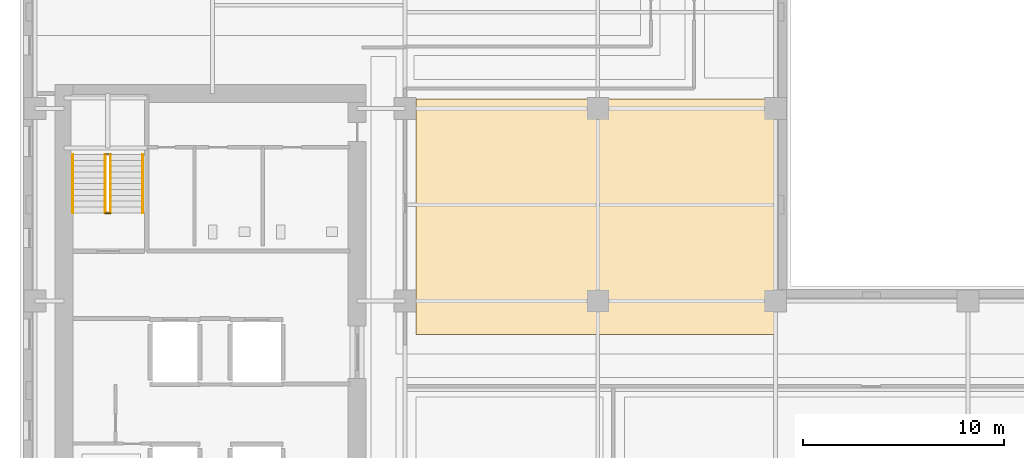
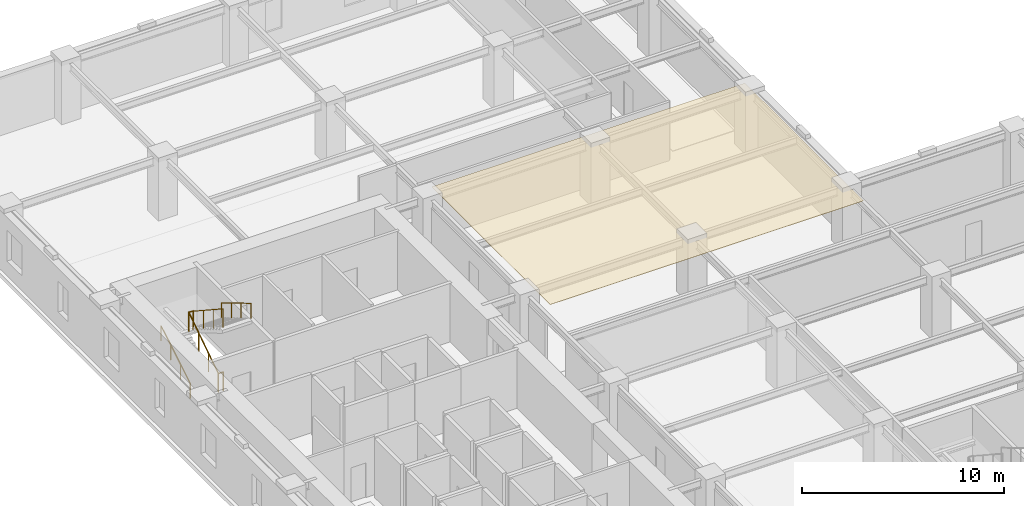
# One storey, part 11 of 13: 6 railings, 1 covering.
"""IFC4 building model written with IfcOpenShell, lengths in metres."""

from ifc_helpers import new_model, si_unit, direction, frame, origin, origin_2d, place, context, subcontext, project, spatial, polyline, circle, outline, extrude, material, layer, layer_set, type_object, element, save


model = new_model("IFC4")

# Units and contexts
model_context = context("Model", 3, precision=1e-05, world=origin(), true_north=direction((0.0, 1.0)))
body_context = subcontext(model_context, "Body", "Model", "MODEL_VIEW")
ifc_project = project(units=[si_unit("LENGTHUNIT", "METRE"), si_unit("AREAUNIT", "SQUARE_METRE"), si_unit("VOLUMEUNIT", "CUBIC_METRE"), si_unit("PLANEANGLEUNIT", "RADIAN"), si_unit("MASSUNIT", "GRAM", prefix="KILO")], contexts=[model_context])

# Site, building, storey
site_placement = place(None, origin())
site = spatial("IfcSite", under=ifc_project, at=site_placement, CompositionType="ELEMENT")
building_placement = place(site_placement, origin())
building = spatial("IfcBuilding", under=site, at=building_placement, Name="Norrvale University Quadrangle", CompositionType="ELEMENT")
storey_placement = place(building_placement, frame((0.0, 0.0, 85.0)))
storey = spatial("IfcBuildingStorey", under=building, at=storey_placement, Name="L21", CompositionType="ELEMENT", Elevation=85.0)

# Covering
ifc_material_1 = material(Name="Perforated Acoustic Mineral Ceiling")
ifc_layer = layer(ifc_material_1, 0.02490234375, Name="Perforated Acoustic Mineral Ceiling")
ifc_layer_set = layer_set([ifc_layer], Name="Perforated Acoustic Mineral Ceiling")
covering_type = type_object("IfcCoveringType", Name="Covering Acoustic Ceiling 25", PredefinedType="CEILING", material=ifc_layer_set)
covering_placement = place(storey_placement, frame((0.0, 0.0, 3.514892578125)))
element("IfcCovering", 1, at=covering_placement, inside=storey, type_object=covering_type, Name="Acoustic Ceiling RM-L21-MNE01", PredefinedType="CEILING", context=body_context, shape_type="SweptSolid", body=[
    extrude(outline(polyline([(19.72998046875, 47.719970703125), (37.64990234375, 47.719970703125), (37.64990234375, 35.97998046875), (19.72998046875, 35.97998046875), (19.72998046875, 47.719970703125)])), origin(), (0.0, 0.0, 1.0), 0.025146484375),
])

# Railings
ifc_material_2 = material(Name="Steel 350W Painted Balustrade", Category="steel")
railing_type_1 = type_object("IfcRailingType", Name="Railing Stair Guard 1100", PredefinedType="GUARDRAIL", material=ifc_material_2)
for number, where, name in (
    (2, (4.239990234375, 42.02001953125, 0.0), "Stair Floor Well Guard ST-02 L21"),
    (3, (4.239990234375, 44.97998046875, 1.89990234375), "Stair Mid-Landing Slot Guard ST-02 L21"),
):
    element("IfcRailing", number, at=place(storey_placement, frame(where)), inside=storey, type_object=railing_type_1, Name=name, PredefinedType="GUARDRAIL", context=body_context, shape_type="SweptSolid", body=[
        extrude(circle(Radius=0.02392578125, at=origin_2d()), frame((0.0, 0.0, 1.1259765625), z_axis=(1.0, 0.0, 0.0), x_axis=(0.0, 1.0, 0.0)), (0.0, 0.0, 1.0), 0.27001953125),
        extrude(circle(Radius=0.02099609375, at=origin_2d()), origin(), (0.0, 0.0, 1.0), 1.101806640625),
        extrude(circle(Radius=0.02099609375, at=origin_2d()), frame((0.27001953125, 0.0, 0.0)), (0.0, 0.0, 1.0), 1.101806640625),
    ])
railing_1_placement = place(storey_placement, frame((4.239990234375, 42.050048828125, 0.0)))
element("IfcRailing", 4, at=railing_1_placement, inside=storey, type_object=railing_type_1, Name="Stair Lower Flight Inner Guard ST-02 L21", PredefinedType="GUARDRAIL", context=body_context, shape_type="SweptSolid", body=[
    extrude(circle(Radius=0.02392578125, at=origin_2d()), frame((0.0, 0.0, 1.1259765625), z_axis=(0.0, 0.836465582154, 0.548019461216), x_axis=(-1.0, 0.0, 0.0)), (0.0, 0.0, 1.0), 3.466796875),
    extrude(circle(Radius=0.02099609375, at=origin_2d()), origin(), (0.0, 0.0, 1.0), 1.101806640625),
    extrude(circle(Radius=0.02099609375, at=origin_2d()), frame((0.0, 0.966552734375, 0.63330078125)), (0.0, 0.0, 1.0), 1.101806640625),
    extrude(circle(Radius=0.02099609375, at=origin_2d()), frame((0.0, 1.933349609375, 1.2666015625)), (0.0, 0.0, 1.0), 1.101806640625),
    extrude(circle(Radius=0.02099609375, at=origin_2d()), frame((0.0, 2.89990234375, 1.89990234375)), (0.0, 0.0, 1.0), 1.101806640625),
])
railing_2_placement = place(storey_placement, frame((4.510009765625, 44.949951171875, 1.89990234375)))
element("IfcRailing", 5, at=railing_2_placement, inside=storey, type_object=railing_type_1, Name="Stair Upper Flight Inner Guard ST-02 L21", PredefinedType="GUARDRAIL", context=body_context, shape_type="SweptSolid", body=[
    extrude(circle(Radius=0.02392578125, at=origin_2d()), frame((0.0, 0.0, 1.1259765625), z_axis=(0.0, -0.836433300813, 0.548068730445), x_axis=(1.0, 0.0, 0.0)), (0.0, 0.0, 1.0), 3.467041015625),
    extrude(circle(Radius=0.02099609375, at=origin_2d()), origin(), (0.0, 0.0, 1.0), 1.101806640625),
    extrude(circle(Radius=0.02099609375, at=origin_2d()), frame((0.0, -0.966552734375, 0.63330078125)), (0.0, 0.0, 1.0), 1.101806640625),
    extrude(circle(Radius=0.02099609375, at=origin_2d()), frame((0.0, -1.933349609375, 1.266845703125)), (0.0, 0.0, 1.0), 1.101806640625),
    extrude(circle(Radius=0.02099609375, at=origin_2d()), frame((0.0, -2.89990234375, 1.900146484375)), (0.0, 0.0, 1.0), 1.101806640625),
])
ifc_material_3 = material(Name="Stainless Steel 316L Handrail", Category="steel")
railing_type_2 = type_object("IfcRailingType", Name="Railing Stair Handrail 920", PredefinedType="HANDRAIL", material=ifc_material_3)
railing_3_placement = place(storey_placement, frame((2.639892578125, 42.050048828125, 0.172607421875)))
element("IfcRailing", 6, at=railing_3_placement, inside=storey, type_object=railing_type_2, Name="Stair Lower Flight Handrail ST-02 L21", PredefinedType="HANDRAIL", context=body_context, shape_type="SweptSolid", body=[
    extrude(circle(Radius=0.02392578125, at=origin_2d()), frame((0.0, 0.0, 0.89599609375), z_axis=(0.0, 0.859141464434, 0.511738159696), x_axis=(-1.0, 0.0, 0.0)), (0.0, 0.0, 1.0), 3.375244140625),
    extrude(circle(Radius=0.02099609375, at=origin_2d()), origin(), (0.0, 0.0, 1.0), 0.871826171875),
    extrude(circle(Radius=0.02099609375, at=origin_2d()), frame((0.0, 0.966552734375, 0.57568359375)), (0.0, 0.0, 1.0), 0.871826171875),
    extrude(circle(Radius=0.02099609375, at=origin_2d()), frame((0.0, 1.933349609375, 1.151611328125)), (0.0, 0.0, 1.0), 0.871826171875),
    extrude(circle(Radius=0.02099609375, at=origin_2d()), frame((0.0, 2.89990234375, 1.727294921875)), (0.0, 0.0, 1.0), 0.871826171875),
])
railing_4_placement = place(storey_placement, frame((6.110107421875, 44.949951171875, 2.07275390625)))
element("IfcRailing", 7, at=railing_4_placement, inside=storey, type_object=railing_type_2, Name="Stair Upper Flight Handrail ST-02 L21", PredefinedType="HANDRAIL", context=body_context, shape_type="SweptSolid", body=[
    extrude(circle(Radius=0.02392578125, at=origin_2d()), frame((0.0, 0.0, 0.89599609375), z_axis=(0.0, -0.859141464434, 0.511738159696), x_axis=(1.0, 0.0, 0.0)), (0.0, 0.0, 1.0), 3.375244140625),
    extrude(circle(Radius=0.02099609375, at=origin_2d()), origin(), (0.0, 0.0, 1.0), 0.871826171875),
    extrude(circle(Radius=0.02099609375, at=origin_2d()), frame((0.0, -0.966552734375, 0.57568359375)), (0.0, 0.0, 1.0), 0.871826171875),
    extrude(circle(Radius=0.02099609375, at=origin_2d()), frame((0.0, -1.933349609375, 1.151611328125)), (0.0, 0.0, 1.0), 0.871826171875),
    extrude(circle(Radius=0.02099609375, at=origin_2d()), frame((0.0, -2.89990234375, 1.727294921875)), (0.0, 0.0, 1.0), 0.871826171875),
])

save(model, "model.ifc")
